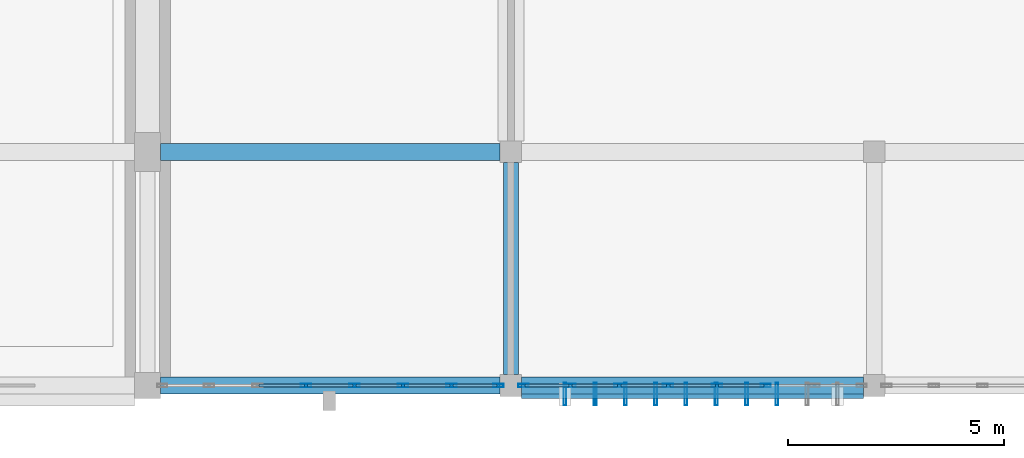
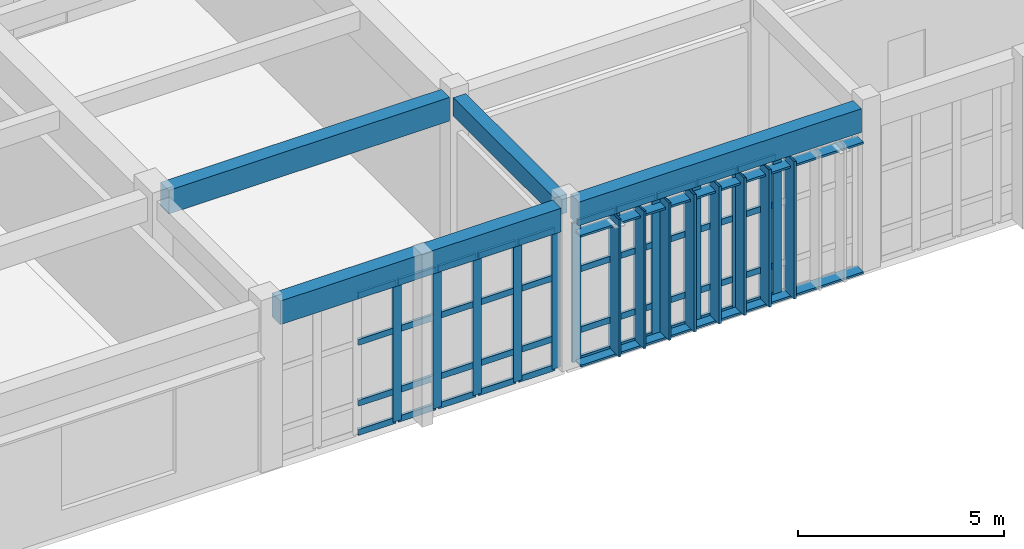
# One storey, part 27 of 93: 61 members, 4 beams, 2 elements without a shape of their own.
"""IFC4 building model written with IfcOpenShell, lengths in metres."""

from ifc_helpers import new_model, si_unit, direction, frame, origin, origin_2d, place, context, subcontext, project, spatial, rectangle, hollow_rectangle, extrude, material, layer, layer_set, material_profile, profile_set, type_object, element, aggregate, save


model = new_model("IFC4")

# Units and contexts
model_context = context("Model", 3, precision=1e-05, world=origin(), true_north=direction((0.0, 1.0)))
body_context = subcontext(model_context, "Body", "Model", "MODEL_VIEW")
ifc_project = project(units=[si_unit("LENGTHUNIT", "METRE"), si_unit("AREAUNIT", "SQUARE_METRE"), si_unit("VOLUMEUNIT", "CUBIC_METRE"), si_unit("PLANEANGLEUNIT", "RADIAN"), si_unit("MASSUNIT", "GRAM", prefix="KILO")], contexts=[model_context])

# Site, building, storey
site_placement = place(None, origin())
site = spatial("IfcSite", under=ifc_project, at=site_placement, CompositionType="ELEMENT")
building_placement = place(site_placement, origin())
building = spatial("IfcBuilding", under=site, at=building_placement, Name="Krzemoval Escarpment Law Courts", CompositionType="ELEMENT")
storey_placement = place(building_placement, frame((0.0, 0.0, 10.199951171875)))
storey = spatial("IfcBuildingStorey", under=building, at=storey_placement, Name="L02", CompositionType="ELEMENT", Elevation=10.199951171875)

# Beams
ifc_material_1 = material(Name="Concrete C40/50", Category="concrete")
ifc_material_profile_1 = material_profile(ifc_material_1, rectangle(XDim=0.35009765625, YDim=0.550048828125, at=origin_2d()), Name="RCB 350x550")
ifc_profile_set_1 = profile_set([ifc_material_profile_1], Name="Concrete C40/50")
beam_type_1 = type_object("IfcBeamType", Name="BM-RC-350x550", PredefinedType="BEAM", material=ifc_profile_set_1)
beam_1_placement = place(storey_placement, frame((117.60009765625, 0.25, 4.545166015625), z_axis=(0.0, 1.0, 0.0), x_axis=(-1.0, 0.0, 0.0)))
element("IfcBeam", 1, at=beam_1_placement, inside=storey, type_object=beam_type_1, Name="Beam FG-L02-1952", PredefinedType="BEAM", context=body_context, shape_type="SweptSolid", body=[
    extrude(rectangle(XDim=0.35009765625, YDim=0.550048828125, at=origin_2d()), origin(), (0.0, 0.0, 1.0), 4.89990234375),
])
ifc_material_2 = material(Name="Concrete C40/50", Category="concrete")
ifc_material_profile_2 = material_profile(ifc_material_2, rectangle(XDim=0.39990234375, YDim=0.699951171875, at=origin_2d()), Name="RCB 400x700")
ifc_profile_set_2 = profile_set([ifc_material_profile_2], Name="Concrete C40/50")
beam_type_2 = type_object("IfcBeamType", Name="BM-RC-400x700", PredefinedType="BEAM", material=ifc_profile_set_2)
beam_2_placement = place(storey_placement, frame((109.5, 0.0, 4.469970703125), z_axis=(1.0, 0.0, 0.0), x_axis=(0.0, 1.0, 0.0)))
element("IfcBeam", 2, at=beam_2_placement, inside=storey, type_object=beam_type_2, Name="Beam FG-L02-1716", PredefinedType="BEAM", context=body_context, shape_type="SweptSolid", body=[
    extrude(rectangle(XDim=0.39990234375, YDim=0.699951171875, at=origin_2d()), origin(), (0.0, 0.0, 1.0), 7.85009765625),
])
beam_3_placement = place(storey_placement, frame((117.85009765625, 0.0, 4.469970703125), z_axis=(1.0, 0.0, 0.0), x_axis=(0.0, 1.0, 0.0)))
element("IfcBeam", 3, at=beam_3_placement, inside=storey, type_object=beam_type_2, Name="Beam FG-L02-1717", PredefinedType="BEAM", context=body_context, shape_type="SweptSolid", body=[
    extrude(rectangle(XDim=0.39990234375, YDim=0.699951171875, at=origin_2d()), origin(), (0.0, 0.0, 1.0), 7.89990234375),
])
beam_4_placement = place(storey_placement, frame((109.5, 5.39990234375, 4.469970703125), z_axis=(1.0, 0.0, 0.0), x_axis=(0.0, 1.0, 0.0)))
element("IfcBeam", 4, at=beam_4_placement, inside=storey, type_object=beam_type_2, Name="Beam FG-L02-1733", PredefinedType="BEAM", context=body_context, shape_type="SweptSolid", body=[
    extrude(rectangle(XDim=0.39990234375, YDim=0.699951171875, at=origin_2d()), origin(), (0.0, 0.0, 1.0), 7.85009765625),
])

# Curtain wall, members
ifc_material_3 = material(Name="Aluminium 6063-T6", Category="aluminium")
ifc_layer = layer(ifc_material_3, 0.239990234375)
ifc_layer_set = layer_set([ifc_layer], Name="Aluminium 6063-T6")
curtain_wall_type = type_object("IfcCurtainWallType", Name="CW-LIBR-4800", PredefinedType="USERDEFINED", material=ifc_layer_set)
curtain_wall_1_placement = place(storey_placement, origin())
curtain_wall_1 = element("IfcCurtainWall", 5, at=curtain_wall_1_placement, inside=storey, type_object=curtain_wall_type, Name="Unitised Curtain Wall FCW-L02-084", ObjectType="UNITISED_CURTAIN_WALL", PredefinedType="USERDEFINED")
ifc_material_4 = material(Name="Aluminium 6063-T6", Category="aluminium")
ifc_material_profile_3 = material_profile(ifc_material_4, hollow_rectangle(XDim=0.074951171875, YDim=0.239990234375, WallThickness=0.0048828125, at=origin_2d()), Name="ALU M75x240")
ifc_profile_set_3 = profile_set([ifc_material_profile_3], Name="Aluminium 6063-T6")
member_type_1 = type_object("IfcMemberType", Name="CWM-75x240", PredefinedType="MULLION", material=ifc_profile_set_3)
member_1_placement = place(storey_placement, frame((123.492919921875, 0.0, 0.0), z_axis=(0.0, 0.0, 1.0), x_axis=(0.0, -1.0, 0.0)))
member_1 = element("IfcMember", 6, at=member_1_placement, type_object=member_type_1, Name="FCW-L02-084 mullion 3", PredefinedType="MULLION", context=body_context, shape_type="SweptSolid", body=[
    extrude(hollow_rectangle(XDim=0.074951171875, YDim=0.239990234375, WallThickness=0.0048828125, at=origin_2d()), origin(), (0.0, 0.0, 1.0), 4.1201171875),
])
member_2_placement = place(storey_placement, frame((122.3642578125, 0.0, 0.0), z_axis=(0.0, 0.0, 1.0), x_axis=(0.0, -1.0, 0.0)))
member_2 = element("IfcMember", 7, at=member_2_placement, type_object=member_type_1, Name="FCW-L02-084 mullion 4", PredefinedType="MULLION", context=body_context, shape_type="SweptSolid", body=[
    extrude(hollow_rectangle(XDim=0.074951171875, YDim=0.239990234375, WallThickness=0.0048828125, at=origin_2d()), origin(), (0.0, 0.0, 1.0), 4.1201171875),
])
member_3_placement = place(storey_placement, frame((121.235595703125, 0.0, 0.0), z_axis=(0.0, 0.0, 1.0), x_axis=(0.0, -1.0, 0.0)))
member_3 = element("IfcMember", 8, at=member_3_placement, type_object=member_type_1, Name="FCW-L02-084 mullion 5", PredefinedType="MULLION", context=body_context, shape_type="SweptSolid", body=[
    extrude(hollow_rectangle(XDim=0.074951171875, YDim=0.239990234375, WallThickness=0.0048828125, at=origin_2d()), origin(), (0.0, 0.0, 1.0), 4.1201171875),
])
member_4_placement = place(storey_placement, frame((120.107177734375, 0.0, 0.0), z_axis=(0.0, 0.0, 1.0), x_axis=(0.0, -1.0, 0.0)))
member_4 = element("IfcMember", 9, at=member_4_placement, type_object=member_type_1, Name="FCW-L02-084 mullion 6", PredefinedType="MULLION", context=body_context, shape_type="SweptSolid", body=[
    extrude(hollow_rectangle(XDim=0.074951171875, YDim=0.239990234375, WallThickness=0.0048828125, at=origin_2d()), origin(), (0.0, 0.0, 1.0), 4.1201171875),
])
member_5_placement = place(storey_placement, frame((118.978515625, 0.0, 0.0), z_axis=(0.0, 0.0, 1.0), x_axis=(0.0, -1.0, 0.0)))
member_5 = element("IfcMember", 10, at=member_5_placement, type_object=member_type_1, Name="FCW-L02-084 mullion 7", PredefinedType="MULLION", context=body_context, shape_type="SweptSolid", body=[
    extrude(hollow_rectangle(XDim=0.074951171875, YDim=0.239990234375, WallThickness=0.0048828125, at=origin_2d()), origin(), (0.0, 0.0, 1.0), 4.1201171875),
])
member_6_placement = place(storey_placement, frame((117.887451171875, 0.0, 0.0), z_axis=(0.0, 0.0, 1.0), x_axis=(0.0, -1.0, 0.0)))
member_6 = element("IfcMember", 11, at=member_6_placement, type_object=member_type_1, Name="FCW-L02-084 mullion 8", PredefinedType="MULLION", context=body_context, shape_type="SweptSolid", body=[
    extrude(hollow_rectangle(XDim=0.074951171875, YDim=0.239990234375, WallThickness=0.0048828125, at=origin_2d()), origin(), (0.0, 0.0, 1.0), 4.1201171875),
])

curtain_wall_2_placement = place(storey_placement, origin())
curtain_wall_2 = element("IfcCurtainWall", 12, at=curtain_wall_2_placement, inside=storey, type_object=curtain_wall_type, Name="Unitised Curtain Wall FCW-L02-085", ObjectType="UNITISED_CURTAIN_WALL", PredefinedType="USERDEFINED")
member_7_placement = place(storey_placement, frame((117.3125, 0.0, 0.0), z_axis=(0.0, 0.0, 1.0), x_axis=(0.0, -1.0, 0.0)))
member_7 = element("IfcMember", 13, at=member_7_placement, type_object=member_type_1, Name="FCW-L02-085 mullion 1", PredefinedType="MULLION", context=body_context, shape_type="SweptSolid", body=[
    extrude(hollow_rectangle(XDim=0.074951171875, YDim=0.239990234375, WallThickness=0.0048828125, at=origin_2d()), origin(), (0.0, 0.0, 1.0), 4.1201171875),
])
member_8_placement = place(storey_placement, frame((116.228515625, 0.0, 0.0), z_axis=(0.0, 0.0, 1.0), x_axis=(0.0, -1.0, 0.0)))
member_8 = element("IfcMember", 14, at=member_8_placement, type_object=member_type_1, Name="FCW-L02-085 mullion 2", PredefinedType="MULLION", context=body_context, shape_type="SweptSolid", body=[
    extrude(hollow_rectangle(XDim=0.074951171875, YDim=0.239990234375, WallThickness=0.0048828125, at=origin_2d()), origin(), (0.0, 0.0, 1.0), 4.1201171875),
])
member_9_placement = place(storey_placement, frame((115.107177734375, 0.0, 0.0), z_axis=(0.0, 0.0, 1.0), x_axis=(0.0, -1.0, 0.0)))
member_9 = element("IfcMember", 15, at=member_9_placement, type_object=member_type_1, Name="FCW-L02-085 mullion 3", PredefinedType="MULLION", context=body_context, shape_type="SweptSolid", body=[
    extrude(hollow_rectangle(XDim=0.074951171875, YDim=0.239990234375, WallThickness=0.0048828125, at=origin_2d()), origin(), (0.0, 0.0, 1.0), 4.1201171875),
])
member_10_placement = place(storey_placement, frame((113.985595703125, 0.0, 0.0), z_axis=(0.0, 0.0, 1.0), x_axis=(0.0, -1.0, 0.0)))
member_10 = element("IfcMember", 16, at=member_10_placement, type_object=member_type_1, Name="FCW-L02-085 mullion 4", PredefinedType="MULLION", context=body_context, shape_type="SweptSolid", body=[
    extrude(hollow_rectangle(XDim=0.074951171875, YDim=0.239990234375, WallThickness=0.0048828125, at=origin_2d()), origin(), (0.0, 0.0, 1.0), 4.1201171875),
])
member_11_placement = place(storey_placement, frame((112.8642578125, 0.0, 0.0), z_axis=(0.0, 0.0, 1.0), x_axis=(0.0, -1.0, 0.0)))
member_11 = element("IfcMember", 17, at=member_11_placement, type_object=member_type_1, Name="FCW-L02-085 mullion 5", PredefinedType="MULLION", context=body_context, shape_type="SweptSolid", body=[
    extrude(hollow_rectangle(XDim=0.074951171875, YDim=0.239990234375, WallThickness=0.0048828125, at=origin_2d()), origin(), (0.0, 0.0, 1.0), 4.1201171875),
])

# Member
ifc_material_5 = material(Name="Aluminium 6063-T6", Category="aluminium")
ifc_material_profile_4 = material_profile(ifc_material_5, hollow_rectangle(XDim=0.074951171875, YDim=0.179931640625, WallThickness=0.0048828125, at=origin_2d()), Name="ALU T75x180")
ifc_profile_set_4 = profile_set([ifc_material_profile_4], Name="Aluminium 6063-T6")
member_type_2 = type_object("IfcMemberType", Name="CWT-75x180", PredefinedType="USERDEFINED", material=ifc_profile_set_4)
member_12_placement = place(storey_placement, frame((123.455322265625, 0.0, 0.03759765625), z_axis=(-1.0, 0.0, 0.0), x_axis=(0.0, -1.0, 0.0)))
member_12 = element("IfcMember", 18, at=member_12_placement, type_object=member_type_2, Name="FCW-L02-084 transom 3.1", ObjectType="TRANSOM", PredefinedType="USERDEFINED", context=body_context, shape_type="SweptSolid", body=[
    extrude(hollow_rectangle(XDim=0.074951171875, YDim=0.179931640625, WallThickness=0.0048828125, at=origin_2d()), origin(), (0.0, 0.0, 1.0), 1.053466796875),
])

member_13_placement = place(storey_placement, frame((123.455322265625, 0.0, 0.900146484375), z_axis=(-1.0, 0.0, 0.0), x_axis=(0.0, -1.0, 0.0)))
member_13 = element("IfcMember", 19, at=member_13_placement, type_object=member_type_2, Name="FCW-L02-084 transom 3.2", ObjectType="TRANSOM", PredefinedType="USERDEFINED", context=body_context, shape_type="SweptSolid", body=[
    extrude(hollow_rectangle(XDim=0.074951171875, YDim=0.179931640625, WallThickness=0.0048828125, at=origin_2d()), origin(), (0.0, 0.0, 1.0), 1.053466796875),
])

member_14_placement = place(storey_placement, frame((123.455322265625, 0.0, 2.699951171875), z_axis=(-1.0, 0.0, 0.0), x_axis=(0.0, -1.0, 0.0)))
member_14 = element("IfcMember", 20, at=member_14_placement, type_object=member_type_2, Name="FCW-L02-084 transom 3.3", ObjectType="TRANSOM", PredefinedType="USERDEFINED", context=body_context, shape_type="SweptSolid", body=[
    extrude(hollow_rectangle(XDim=0.074951171875, YDim=0.179931640625, WallThickness=0.0048828125, at=origin_2d()), origin(), (0.0, 0.0, 1.0), 1.053466796875),
])

member_15_placement = place(storey_placement, frame((123.455322265625, 0.0, 4.08251953125), z_axis=(-1.0, 0.0, 0.0), x_axis=(0.0, -1.0, 0.0)))
member_15 = element("IfcMember", 21, at=member_15_placement, type_object=member_type_2, Name="FCW-L02-084 transom 3.4", ObjectType="TRANSOM", PredefinedType="USERDEFINED", context=body_context, shape_type="SweptSolid", body=[
    extrude(hollow_rectangle(XDim=0.074951171875, YDim=0.179931640625, WallThickness=0.0048828125, at=origin_2d()), origin(), (0.0, 0.0, 1.0), 1.053466796875),
])

member_16_placement = place(storey_placement, frame((122.326904296875, 0.0, 0.03759765625), z_axis=(-1.0, 0.0, 0.0), x_axis=(0.0, -1.0, 0.0)))
member_16 = element("IfcMember", 22, at=member_16_placement, type_object=member_type_2, Name="FCW-L02-084 transom 4.1", ObjectType="TRANSOM", PredefinedType="USERDEFINED", context=body_context, shape_type="SweptSolid", body=[
    extrude(hollow_rectangle(XDim=0.074951171875, YDim=0.179931640625, WallThickness=0.0048828125, at=origin_2d()), origin(), (0.0, 0.0, 1.0), 1.0537109375),
])

member_17_placement = place(storey_placement, frame((122.326904296875, 0.0, 0.900146484375), z_axis=(-1.0, 0.0, 0.0), x_axis=(0.0, -1.0, 0.0)))
member_17 = element("IfcMember", 23, at=member_17_placement, type_object=member_type_2, Name="FCW-L02-084 transom 4.2", ObjectType="TRANSOM", PredefinedType="USERDEFINED", context=body_context, shape_type="SweptSolid", body=[
    extrude(hollow_rectangle(XDim=0.074951171875, YDim=0.179931640625, WallThickness=0.0048828125, at=origin_2d()), origin(), (0.0, 0.0, 1.0), 1.0537109375),
])

member_18_placement = place(storey_placement, frame((122.326904296875, 0.0, 2.699951171875), z_axis=(-1.0, 0.0, 0.0), x_axis=(0.0, -1.0, 0.0)))
member_18 = element("IfcMember", 24, at=member_18_placement, type_object=member_type_2, Name="FCW-L02-084 transom 4.3", ObjectType="TRANSOM", PredefinedType="USERDEFINED", context=body_context, shape_type="SweptSolid", body=[
    extrude(hollow_rectangle(XDim=0.074951171875, YDim=0.179931640625, WallThickness=0.0048828125, at=origin_2d()), origin(), (0.0, 0.0, 1.0), 1.0537109375),
])

member_19_placement = place(storey_placement, frame((122.326904296875, 0.0, 4.08251953125), z_axis=(-1.0, 0.0, 0.0), x_axis=(0.0, -1.0, 0.0)))
member_19 = element("IfcMember", 25, at=member_19_placement, type_object=member_type_2, Name="FCW-L02-084 transom 4.4", ObjectType="TRANSOM", PredefinedType="USERDEFINED", context=body_context, shape_type="SweptSolid", body=[
    extrude(hollow_rectangle(XDim=0.074951171875, YDim=0.179931640625, WallThickness=0.0048828125, at=origin_2d()), origin(), (0.0, 0.0, 1.0), 1.0537109375),
])

member_20_placement = place(storey_placement, frame((121.1982421875, 0.0, 0.03759765625), z_axis=(-1.0, 0.0, 0.0), x_axis=(0.0, -1.0, 0.0)))
member_20 = element("IfcMember", 26, at=member_20_placement, type_object=member_type_2, Name="FCW-L02-084 transom 5.1", ObjectType="TRANSOM", PredefinedType="USERDEFINED", context=body_context, shape_type="SweptSolid", body=[
    extrude(hollow_rectangle(XDim=0.074951171875, YDim=0.179931640625, WallThickness=0.0048828125, at=origin_2d()), origin(), (0.0, 0.0, 1.0), 1.0537109375),
])

member_21_placement = place(storey_placement, frame((121.1982421875, 0.0, 0.900146484375), z_axis=(-1.0, 0.0, 0.0), x_axis=(0.0, -1.0, 0.0)))
member_21 = element("IfcMember", 27, at=member_21_placement, type_object=member_type_2, Name="FCW-L02-084 transom 5.2", ObjectType="TRANSOM", PredefinedType="USERDEFINED", context=body_context, shape_type="SweptSolid", body=[
    extrude(hollow_rectangle(XDim=0.074951171875, YDim=0.179931640625, WallThickness=0.0048828125, at=origin_2d()), origin(), (0.0, 0.0, 1.0), 1.0537109375),
])

member_22_placement = place(storey_placement, frame((121.1982421875, 0.0, 2.699951171875), z_axis=(-1.0, 0.0, 0.0), x_axis=(0.0, -1.0, 0.0)))
member_22 = element("IfcMember", 28, at=member_22_placement, type_object=member_type_2, Name="FCW-L02-084 transom 5.3", ObjectType="TRANSOM", PredefinedType="USERDEFINED", context=body_context, shape_type="SweptSolid", body=[
    extrude(hollow_rectangle(XDim=0.074951171875, YDim=0.179931640625, WallThickness=0.0048828125, at=origin_2d()), origin(), (0.0, 0.0, 1.0), 1.0537109375),
])

member_23_placement = place(storey_placement, frame((121.1982421875, 0.0, 4.08251953125), z_axis=(-1.0, 0.0, 0.0), x_axis=(0.0, -1.0, 0.0)))
member_23 = element("IfcMember", 29, at=member_23_placement, type_object=member_type_2, Name="FCW-L02-084 transom 5.4", ObjectType="TRANSOM", PredefinedType="USERDEFINED", context=body_context, shape_type="SweptSolid", body=[
    extrude(hollow_rectangle(XDim=0.074951171875, YDim=0.179931640625, WallThickness=0.0048828125, at=origin_2d()), origin(), (0.0, 0.0, 1.0), 1.0537109375),
])

member_24_placement = place(storey_placement, frame((120.069580078125, 0.0, 0.03759765625), z_axis=(-1.0, 0.0, 0.0), x_axis=(0.0, -1.0, 0.0)))
member_24 = element("IfcMember", 30, at=member_24_placement, type_object=member_type_2, Name="FCW-L02-084 transom 6.1", ObjectType="TRANSOM", PredefinedType="USERDEFINED", context=body_context, shape_type="SweptSolid", body=[
    extrude(hollow_rectangle(XDim=0.074951171875, YDim=0.179931640625, WallThickness=0.0048828125, at=origin_2d()), origin(), (0.0, 0.0, 1.0), 1.053466796875),
])

member_25_placement = place(storey_placement, frame((120.069580078125, 0.0, 0.900146484375), z_axis=(-1.0, 0.0, 0.0), x_axis=(0.0, -1.0, 0.0)))
member_25 = element("IfcMember", 31, at=member_25_placement, type_object=member_type_2, Name="FCW-L02-084 transom 6.2", ObjectType="TRANSOM", PredefinedType="USERDEFINED", context=body_context, shape_type="SweptSolid", body=[
    extrude(hollow_rectangle(XDim=0.074951171875, YDim=0.179931640625, WallThickness=0.0048828125, at=origin_2d()), origin(), (0.0, 0.0, 1.0), 1.053466796875),
])

member_26_placement = place(storey_placement, frame((120.069580078125, 0.0, 2.699951171875), z_axis=(-1.0, 0.0, 0.0), x_axis=(0.0, -1.0, 0.0)))
member_26 = element("IfcMember", 32, at=member_26_placement, type_object=member_type_2, Name="FCW-L02-084 transom 6.3", ObjectType="TRANSOM", PredefinedType="USERDEFINED", context=body_context, shape_type="SweptSolid", body=[
    extrude(hollow_rectangle(XDim=0.074951171875, YDim=0.179931640625, WallThickness=0.0048828125, at=origin_2d()), origin(), (0.0, 0.0, 1.0), 1.053466796875),
])

member_27_placement = place(storey_placement, frame((120.069580078125, 0.0, 4.08251953125), z_axis=(-1.0, 0.0, 0.0), x_axis=(0.0, -1.0, 0.0)))
member_27 = element("IfcMember", 33, at=member_27_placement, type_object=member_type_2, Name="FCW-L02-084 transom 6.4", ObjectType="TRANSOM", PredefinedType="USERDEFINED", context=body_context, shape_type="SweptSolid", body=[
    extrude(hollow_rectangle(XDim=0.074951171875, YDim=0.179931640625, WallThickness=0.0048828125, at=origin_2d()), origin(), (0.0, 0.0, 1.0), 1.053466796875),
])

member_28_placement = place(storey_placement, frame((118.941162109375, 0.0, 0.03759765625), z_axis=(-1.0, 0.0, 0.0), x_axis=(0.0, -1.0, 0.0)))
member_28 = element("IfcMember", 34, at=member_28_placement, type_object=member_type_2, Name="FCW-L02-084 transom 7.1", ObjectType="TRANSOM", PredefinedType="USERDEFINED", context=body_context, shape_type="SweptSolid", body=[
    extrude(hollow_rectangle(XDim=0.074951171875, YDim=0.179931640625, WallThickness=0.0048828125, at=origin_2d()), origin(), (0.0, 0.0, 1.0), 1.01611328125),
])

member_29_placement = place(storey_placement, frame((118.941162109375, 0.0, 0.900146484375), z_axis=(-1.0, 0.0, 0.0), x_axis=(0.0, -1.0, 0.0)))
member_29 = element("IfcMember", 35, at=member_29_placement, type_object=member_type_2, Name="FCW-L02-084 transom 7.2", ObjectType="TRANSOM", PredefinedType="USERDEFINED", context=body_context, shape_type="SweptSolid", body=[
    extrude(hollow_rectangle(XDim=0.074951171875, YDim=0.179931640625, WallThickness=0.0048828125, at=origin_2d()), origin(), (0.0, 0.0, 1.0), 1.01611328125),
])

member_30_placement = place(storey_placement, frame((118.941162109375, 0.0, 2.699951171875), z_axis=(-1.0, 0.0, 0.0), x_axis=(0.0, -1.0, 0.0)))
member_30 = element("IfcMember", 36, at=member_30_placement, type_object=member_type_2, Name="FCW-L02-084 transom 7.3", ObjectType="TRANSOM", PredefinedType="USERDEFINED", context=body_context, shape_type="SweptSolid", body=[
    extrude(hollow_rectangle(XDim=0.074951171875, YDim=0.179931640625, WallThickness=0.0048828125, at=origin_2d()), origin(), (0.0, 0.0, 1.0), 1.01611328125),
])

member_31_placement = place(storey_placement, frame((118.941162109375, 0.0, 4.08251953125), z_axis=(-1.0, 0.0, 0.0), x_axis=(0.0, -1.0, 0.0)))
member_31 = element("IfcMember", 37, at=member_31_placement, type_object=member_type_2, Name="FCW-L02-084 transom 7.4", ObjectType="TRANSOM", PredefinedType="USERDEFINED", context=body_context, shape_type="SweptSolid", body=[
    extrude(hollow_rectangle(XDim=0.074951171875, YDim=0.179931640625, WallThickness=0.0048828125, at=origin_2d()), origin(), (0.0, 0.0, 1.0), 1.01611328125),
])

aggregate(curtain_wall_1, [member_1, member_2, member_3, member_4, member_5, member_6, member_12, member_13, member_14, member_15, member_16, member_17, member_18, member_19, member_20, member_21, member_22, member_23, member_24, member_25, member_26, member_27, member_28, member_29, member_30, member_31])

member_32_placement = place(storey_placement, frame((117.27490234375, 0.0, 0.03759765625), z_axis=(-1.0, 0.0, 0.0), x_axis=(0.0, -1.0, 0.0)))
member_32 = element("IfcMember", 38, at=member_32_placement, type_object=member_type_2, Name="FCW-L02-085 transom 1.1", ObjectType="TRANSOM", PredefinedType="USERDEFINED", context=body_context, shape_type="SweptSolid", body=[
    extrude(hollow_rectangle(XDim=0.074951171875, YDim=0.179931640625, WallThickness=0.0048828125, at=origin_2d()), origin(), (0.0, 0.0, 1.0), 1.0087890625),
])

member_33_placement = place(storey_placement, frame((117.27490234375, 0.0, 0.900146484375), z_axis=(-1.0, 0.0, 0.0), x_axis=(0.0, -1.0, 0.0)))
member_33 = element("IfcMember", 39, at=member_33_placement, type_object=member_type_2, Name="FCW-L02-085 transom 1.2", ObjectType="TRANSOM", PredefinedType="USERDEFINED", context=body_context, shape_type="SweptSolid", body=[
    extrude(hollow_rectangle(XDim=0.074951171875, YDim=0.179931640625, WallThickness=0.0048828125, at=origin_2d()), origin(), (0.0, 0.0, 1.0), 1.0087890625),
])

member_34_placement = place(storey_placement, frame((117.27490234375, 0.0, 2.699951171875), z_axis=(-1.0, 0.0, 0.0), x_axis=(0.0, -1.0, 0.0)))
member_34 = element("IfcMember", 40, at=member_34_placement, type_object=member_type_2, Name="FCW-L02-085 transom 1.3", ObjectType="TRANSOM", PredefinedType="USERDEFINED", context=body_context, shape_type="SweptSolid", body=[
    extrude(hollow_rectangle(XDim=0.074951171875, YDim=0.179931640625, WallThickness=0.0048828125, at=origin_2d()), origin(), (0.0, 0.0, 1.0), 1.0087890625),
])

member_35_placement = place(storey_placement, frame((117.27490234375, 0.0, 4.08251953125), z_axis=(-1.0, 0.0, 0.0), x_axis=(0.0, -1.0, 0.0)))
member_35 = element("IfcMember", 41, at=member_35_placement, type_object=member_type_2, Name="FCW-L02-085 transom 1.4", ObjectType="TRANSOM", PredefinedType="USERDEFINED", context=body_context, shape_type="SweptSolid", body=[
    extrude(hollow_rectangle(XDim=0.074951171875, YDim=0.179931640625, WallThickness=0.0048828125, at=origin_2d()), origin(), (0.0, 0.0, 1.0), 1.0087890625),
])

member_36_placement = place(storey_placement, frame((116.191162109375, 0.0, 0.03759765625), z_axis=(-1.0, 0.0, 0.0), x_axis=(0.0, -1.0, 0.0)))
member_36 = element("IfcMember", 42, at=member_36_placement, type_object=member_type_2, Name="FCW-L02-085 transom 2.1", ObjectType="TRANSOM", PredefinedType="USERDEFINED", context=body_context, shape_type="SweptSolid", body=[
    extrude(hollow_rectangle(XDim=0.074951171875, YDim=0.179931640625, WallThickness=0.0048828125, at=origin_2d()), origin(), (0.0, 0.0, 1.0), 1.046630859375),
])

member_37_placement = place(storey_placement, frame((116.191162109375, 0.0, 0.900146484375), z_axis=(-1.0, 0.0, 0.0), x_axis=(0.0, -1.0, 0.0)))
member_37 = element("IfcMember", 43, at=member_37_placement, type_object=member_type_2, Name="FCW-L02-085 transom 2.2", ObjectType="TRANSOM", PredefinedType="USERDEFINED", context=body_context, shape_type="SweptSolid", body=[
    extrude(hollow_rectangle(XDim=0.074951171875, YDim=0.179931640625, WallThickness=0.0048828125, at=origin_2d()), origin(), (0.0, 0.0, 1.0), 1.046630859375),
])

member_38_placement = place(storey_placement, frame((116.191162109375, 0.0, 2.699951171875), z_axis=(-1.0, 0.0, 0.0), x_axis=(0.0, -1.0, 0.0)))
member_38 = element("IfcMember", 44, at=member_38_placement, type_object=member_type_2, Name="FCW-L02-085 transom 2.3", ObjectType="TRANSOM", PredefinedType="USERDEFINED", context=body_context, shape_type="SweptSolid", body=[
    extrude(hollow_rectangle(XDim=0.074951171875, YDim=0.179931640625, WallThickness=0.0048828125, at=origin_2d()), origin(), (0.0, 0.0, 1.0), 1.046630859375),
])

member_39_placement = place(storey_placement, frame((116.191162109375, 0.0, 4.08251953125), z_axis=(-1.0, 0.0, 0.0), x_axis=(0.0, -1.0, 0.0)))
member_39 = element("IfcMember", 45, at=member_39_placement, type_object=member_type_2, Name="FCW-L02-085 transom 2.4", ObjectType="TRANSOM", PredefinedType="USERDEFINED", context=body_context, shape_type="SweptSolid", body=[
    extrude(hollow_rectangle(XDim=0.074951171875, YDim=0.179931640625, WallThickness=0.0048828125, at=origin_2d()), origin(), (0.0, 0.0, 1.0), 1.046630859375),
])

member_40_placement = place(storey_placement, frame((115.069580078125, 0.0, 0.03759765625), z_axis=(-1.0, 0.0, 0.0), x_axis=(0.0, -1.0, 0.0)))
member_40 = element("IfcMember", 46, at=member_40_placement, type_object=member_type_2, Name="FCW-L02-085 transom 3.1", ObjectType="TRANSOM", PredefinedType="USERDEFINED", context=body_context, shape_type="SweptSolid", body=[
    extrude(hollow_rectangle(XDim=0.074951171875, YDim=0.179931640625, WallThickness=0.0048828125, at=origin_2d()), origin(), (0.0, 0.0, 1.0), 1.04638671875),
])

member_41_placement = place(storey_placement, frame((115.069580078125, 0.0, 0.900146484375), z_axis=(-1.0, 0.0, 0.0), x_axis=(0.0, -1.0, 0.0)))
member_41 = element("IfcMember", 47, at=member_41_placement, type_object=member_type_2, Name="FCW-L02-085 transom 3.2", ObjectType="TRANSOM", PredefinedType="USERDEFINED", context=body_context, shape_type="SweptSolid", body=[
    extrude(hollow_rectangle(XDim=0.074951171875, YDim=0.179931640625, WallThickness=0.0048828125, at=origin_2d()), origin(), (0.0, 0.0, 1.0), 1.04638671875),
])

member_42_placement = place(storey_placement, frame((115.069580078125, 0.0, 2.699951171875), z_axis=(-1.0, 0.0, 0.0), x_axis=(0.0, -1.0, 0.0)))
member_42 = element("IfcMember", 48, at=member_42_placement, type_object=member_type_2, Name="FCW-L02-085 transom 3.3", ObjectType="TRANSOM", PredefinedType="USERDEFINED", context=body_context, shape_type="SweptSolid", body=[
    extrude(hollow_rectangle(XDim=0.074951171875, YDim=0.179931640625, WallThickness=0.0048828125, at=origin_2d()), origin(), (0.0, 0.0, 1.0), 1.04638671875),
])

member_43_placement = place(storey_placement, frame((115.069580078125, 0.0, 4.08251953125), z_axis=(-1.0, 0.0, 0.0), x_axis=(0.0, -1.0, 0.0)))
member_43 = element("IfcMember", 49, at=member_43_placement, type_object=member_type_2, Name="FCW-L02-085 transom 3.4", ObjectType="TRANSOM", PredefinedType="USERDEFINED", context=body_context, shape_type="SweptSolid", body=[
    extrude(hollow_rectangle(XDim=0.074951171875, YDim=0.179931640625, WallThickness=0.0048828125, at=origin_2d()), origin(), (0.0, 0.0, 1.0), 1.04638671875),
])

member_44_placement = place(storey_placement, frame((113.9482421875, 0.0, 0.03759765625), z_axis=(-1.0, 0.0, 0.0), x_axis=(0.0, -1.0, 0.0)))
member_44 = element("IfcMember", 50, at=member_44_placement, type_object=member_type_2, Name="FCW-L02-085 transom 4.1", ObjectType="TRANSOM", PredefinedType="USERDEFINED", context=body_context, shape_type="SweptSolid", body=[
    extrude(hollow_rectangle(XDim=0.074951171875, YDim=0.179931640625, WallThickness=0.0048828125, at=origin_2d()), origin(), (0.0, 0.0, 1.0), 1.04638671875),
])

member_45_placement = place(storey_placement, frame((113.9482421875, 0.0, 0.900146484375), z_axis=(-1.0, 0.0, 0.0), x_axis=(0.0, -1.0, 0.0)))
member_45 = element("IfcMember", 51, at=member_45_placement, type_object=member_type_2, Name="FCW-L02-085 transom 4.2", ObjectType="TRANSOM", PredefinedType="USERDEFINED", context=body_context, shape_type="SweptSolid", body=[
    extrude(hollow_rectangle(XDim=0.074951171875, YDim=0.179931640625, WallThickness=0.0048828125, at=origin_2d()), origin(), (0.0, 0.0, 1.0), 1.04638671875),
])

member_46_placement = place(storey_placement, frame((113.9482421875, 0.0, 2.699951171875), z_axis=(-1.0, 0.0, 0.0), x_axis=(0.0, -1.0, 0.0)))
member_46 = element("IfcMember", 52, at=member_46_placement, type_object=member_type_2, Name="FCW-L02-085 transom 4.3", ObjectType="TRANSOM", PredefinedType="USERDEFINED", context=body_context, shape_type="SweptSolid", body=[
    extrude(hollow_rectangle(XDim=0.074951171875, YDim=0.179931640625, WallThickness=0.0048828125, at=origin_2d()), origin(), (0.0, 0.0, 1.0), 1.04638671875),
])

member_47_placement = place(storey_placement, frame((113.9482421875, 0.0, 4.08251953125), z_axis=(-1.0, 0.0, 0.0), x_axis=(0.0, -1.0, 0.0)))
member_47 = element("IfcMember", 53, at=member_47_placement, type_object=member_type_2, Name="FCW-L02-085 transom 4.4", ObjectType="TRANSOM", PredefinedType="USERDEFINED", context=body_context, shape_type="SweptSolid", body=[
    extrude(hollow_rectangle(XDim=0.074951171875, YDim=0.179931640625, WallThickness=0.0048828125, at=origin_2d()), origin(), (0.0, 0.0, 1.0), 1.04638671875),
])

member_48_placement = place(storey_placement, frame((112.826904296875, 0.0, 0.03759765625), z_axis=(-1.0, 0.0, 0.0), x_axis=(0.0, -1.0, 0.0)))
member_48 = element("IfcMember", 54, at=member_48_placement, type_object=member_type_2, Name="FCW-L02-085 transom 5.1", ObjectType="TRANSOM", PredefinedType="USERDEFINED", context=body_context, shape_type="SweptSolid", body=[
    extrude(hollow_rectangle(XDim=0.074951171875, YDim=0.179931640625, WallThickness=0.0048828125, at=origin_2d()), origin(), (0.0, 0.0, 1.0), 1.046630859375),
])

member_49_placement = place(storey_placement, frame((112.826904296875, 0.0, 0.900146484375), z_axis=(-1.0, 0.0, 0.0), x_axis=(0.0, -1.0, 0.0)))
member_49 = element("IfcMember", 55, at=member_49_placement, type_object=member_type_2, Name="FCW-L02-085 transom 5.2", ObjectType="TRANSOM", PredefinedType="USERDEFINED", context=body_context, shape_type="SweptSolid", body=[
    extrude(hollow_rectangle(XDim=0.074951171875, YDim=0.179931640625, WallThickness=0.0048828125, at=origin_2d()), origin(), (0.0, 0.0, 1.0), 1.046630859375),
])

member_50_placement = place(storey_placement, frame((112.826904296875, 0.0, 2.699951171875), z_axis=(-1.0, 0.0, 0.0), x_axis=(0.0, -1.0, 0.0)))
member_50 = element("IfcMember", 56, at=member_50_placement, type_object=member_type_2, Name="FCW-L02-085 transom 5.3", ObjectType="TRANSOM", PredefinedType="USERDEFINED", context=body_context, shape_type="SweptSolid", body=[
    extrude(hollow_rectangle(XDim=0.074951171875, YDim=0.179931640625, WallThickness=0.0048828125, at=origin_2d()), origin(), (0.0, 0.0, 1.0), 1.046630859375),
])

member_51_placement = place(storey_placement, frame((112.826904296875, 0.0, 4.08251953125), z_axis=(-1.0, 0.0, 0.0), x_axis=(0.0, -1.0, 0.0)))
member_51 = element("IfcMember", 57, at=member_51_placement, type_object=member_type_2, Name="FCW-L02-085 transom 5.4", ObjectType="TRANSOM", PredefinedType="USERDEFINED", context=body_context, shape_type="SweptSolid", body=[
    extrude(hollow_rectangle(XDim=0.074951171875, YDim=0.179931640625, WallThickness=0.0048828125, at=origin_2d()), origin(), (0.0, 0.0, 1.0), 1.046630859375),
])

aggregate(curtain_wall_2, [member_7, member_8, member_9, member_10, member_11, member_32, member_33, member_34, member_35, member_36, member_37, member_38, member_39, member_40, member_41, member_42, member_43, member_44, member_45, member_46, member_47, member_48, member_49, member_50, member_51])

# Members
ifc_material_6 = material(Name="Anodised Aluminium Alloy 6063-T6", Category="aluminium")
ifc_material_profile_5 = material_profile(ifc_material_6, hollow_rectangle(XDim=0.06005859375, YDim=0.320068359375, WallThickness=0.00390625, at=origin_2d()), Name="ALU LVR 60x320")
ifc_profile_set_5 = profile_set([ifc_material_profile_5], Name="Anodised Aluminium Alloy 6063-T6")
member_type_3 = type_object("IfcMemberType", Name="LVR-ALU-320", PredefinedType="USERDEFINED", material=ifc_profile_set_5)
for number, where, z_axis, x_axis, name in (
    (58, (125.75, -0.139892578125, 0.030029296875), (-1.0, 0.0, 0.0), (0.0, 0.0, 1.0), "Sunshade Support Rail FSR-L02-0543"),
    (59, (125.75, -0.139892578125, 3.8701171875), (-1.0, 0.0, 0.0), (0.0, 0.0, 1.0), "Sunshade Support Rail FSR-L02-0544"),
):
    element("IfcMember", number, at=place(storey_placement, frame(where, z_axis=z_axis, x_axis=x_axis)), inside=storey, type_object=member_type_3, Name=name, ObjectType="SUNSHADE_LOUVRE", PredefinedType="USERDEFINED", context=body_context, shape_type="SweptSolid", body=[
        extrude(hollow_rectangle(XDim=0.06005859375, YDim=0.320068359375, WallThickness=0.00390625, at=origin_2d()), origin(), (0.0, 0.0, 1.0), 7.89990234375),
    ])
ifc_material_7 = material(Name="Anodised Aluminium Alloy 6063-T6", Category="aluminium")
ifc_material_profile_6 = material_profile(ifc_material_7, hollow_rectangle(XDim=0.06494140625, YDim=0.52001953125, WallThickness=0.00439453125, at=origin_2d()), Name="ALU LVR 65x520")
ifc_profile_set_6 = profile_set([ifc_material_profile_6], Name="Anodised Aluminium Alloy 6063-T6")
member_type_4 = type_object("IfcMemberType", Name="LVR-ALU-520", PredefinedType="USERDEFINED", material=ifc_profile_set_6)
for number, where, z_axis, x_axis, name in (
    (60, (123.75, -0.199951171875, 0.06005859375), (0.0, 0.0, 1.0), (1.0, 0.0, 0.0), "Sunshade Louvre Fin FLV-L02-0547"),
    (61, (123.050048828125, -0.199951171875, 0.06005859375), (0.0, 0.0, 1.0), (1.0, 0.0, 0.0), "Sunshade Louvre Fin FLV-L02-0548"),
    (62, (122.35009765625, -0.199951171875, 0.06005859375), (0.0, 0.0, 1.0), (1.0, 0.0, 0.0), "Sunshade Louvre Fin FLV-L02-0549"),
    (63, (121.64990234375, -0.199951171875, 0.06005859375), (0.0, 0.0, 1.0), (1.0, 0.0, 0.0), "Sunshade Louvre Fin FLV-L02-0550"),
    (64, (120.949951171875, -0.199951171875, 0.06005859375), (0.0, 0.0, 1.0), (1.0, 0.0, 0.0), "Sunshade Louvre Fin FLV-L02-0551"),
    (65, (120.25, -0.199951171875, 0.06005859375), (0.0, 0.0, 1.0), (1.0, 0.0, 0.0), "Sunshade Louvre Fin FLV-L02-0552"),
    (66, (119.550048828125, -0.199951171875, 0.06005859375), (0.0, 0.0, 1.0), (1.0, 0.0, 0.0), "Sunshade Louvre Fin FLV-L02-0553"),
    (67, (118.85009765625, -0.199951171875, 0.06005859375), (0.0, 0.0, 1.0), (1.0, 0.0, 0.0), "Sunshade Louvre Fin FLV-L02-0554"),
):
    element("IfcMember", number, at=place(storey_placement, frame(where, z_axis=z_axis, x_axis=x_axis)), inside=storey, type_object=member_type_4, Name=name, ObjectType="SUNSHADE_LOUVRE", PredefinedType="USERDEFINED", context=body_context, shape_type="SweptSolid", body=[
        extrude(hollow_rectangle(XDim=0.06494140625, YDim=0.52001953125, WallThickness=0.00439453125, at=origin_2d()), origin(), (0.0, 0.0, 1.0), 4.06005859375),
    ])

save(model, "model.ifc")
